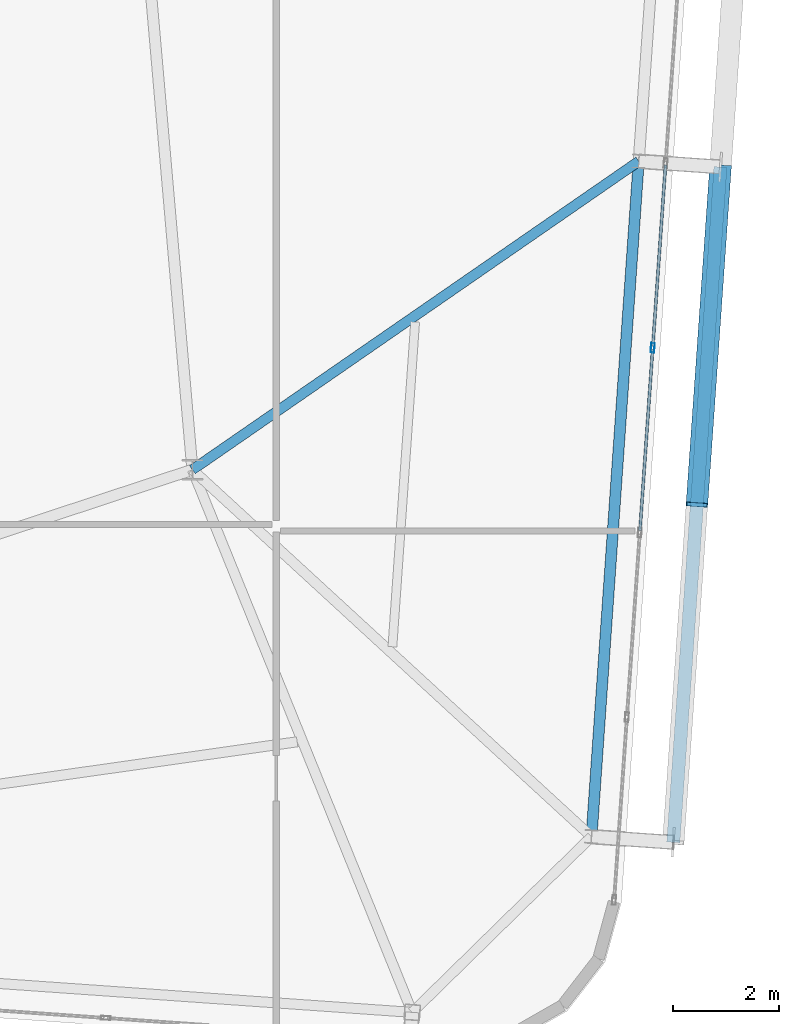
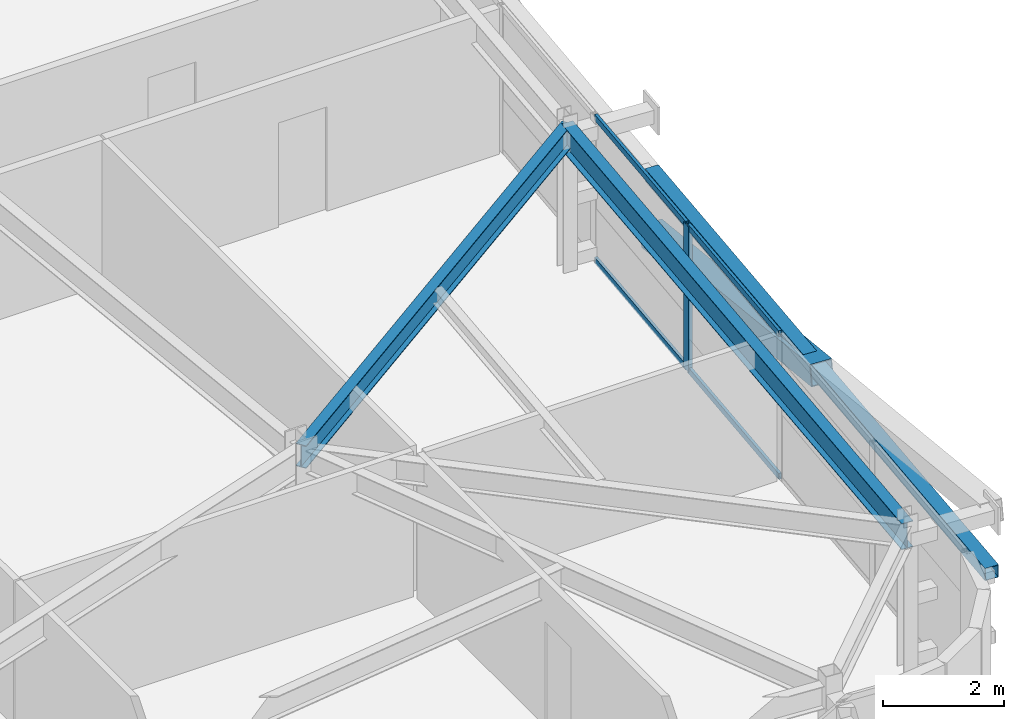
# One storey, part 22 of 47: 7 members, 2 beams, 1 element without a shape of its own.
"""IFC4 building model written with IfcOpenShell, lengths in metres."""

import ifcopenshell
import ifcopenshell.guid

model = None  # the IFC model being written
_history = None  # IfcOwnerHistory: only IFC2X3 demands one
_inside = {}  # id of a spatial element -> (the spatial element, [elements in it])
_under = {}  # id of a project, library or spatial element -> (it, [spatial elements below it])
_declared = {}  # id of a project -> (the project, [libraries it declares])
_typed = {}  # id of a type object -> (the type object, [elements of that type])
_made_of = {}  # id of a material, layer set ... -> (it, [elements and type objects made of it])


def new_model(schema):
    """Start an empty IFC model of exactly this schema.

    Asked for "IFC4X3", IfcOpenShell would pick the latest addendum, in which some entities
    have other attributes; the version numbers below select the first issue.
    IFC2X3 requires an IfcOwnerHistory on every rooted entity: one is made here for all.
    """
    global model, _history
    if schema == "IFC4X3":
        model = ifcopenshell.file(schema_version=(4, 3, 0, 0))
    else:
        model = ifcopenshell.file(schema=schema)
    _inside.clear()
    _under.clear()
    _declared.clear()
    _typed.clear()
    _made_of.clear()
    _history = None
    if model.schema == "IFC2X3":
        org = make("IfcOrganization", Name="unknown")
        user = make(
            "IfcPersonAndOrganization",
            ThePerson=make("IfcPerson", FamilyName="unknown"),
            TheOrganization=org,
        )
        app = make(
            "IfcApplication",
            ApplicationDeveloper=org,
            Version="unknown",
            ApplicationFullName="unknown",
            ApplicationIdentifier="unknown",
        )
        _history = make(
            "IfcOwnerHistory",
            OwningUser=user,
            OwningApplication=app,
            ChangeAction="ADDED",
            CreationDate=0,
        )
    return model


def make(cls, **values):
    """One entity of the class cls with the attributes given. An attribute that is None is left unset."""
    return model.create_entity(
        cls, **{name: value for name, value in values.items() if value is not None}
    )


def rooted(cls, **values):
    """An entity with a GlobalId (a new one), such as an element, a storey or a relation."""
    return make(cls, GlobalId=ifcopenshell.guid.new(), OwnerHistory=_history, **values)


def si_unit(unit_type, name, prefix=None):
    """IfcSIUnit, for example si_unit("LENGTHUNIT", "METRE", prefix="MILLI")."""
    return make("IfcSIUnit", UnitType=unit_type, Prefix=prefix, Name=name)


def assignment(units):
    """IfcUnitAssignment: the units of a project."""
    return None if units is None else make("IfcUnitAssignment", Units=units)


def point(xyz):
    """IfcCartesianPoint."""
    return None if xyz is None else make("IfcCartesianPoint", Coordinates=xyz)


def direction(xyz):
    """IfcDirection."""
    return None if xyz is None else make("IfcDirection", DirectionRatios=xyz)


def frame(location, z_axis=None, x_axis=None):
    """IfcAxis2Placement3D, a coordinate frame: its origin and axes. An axis left out is left unset."""
    return make(
        "IfcAxis2Placement3D",
        Location=point(location),
        Axis=direction(z_axis),
        RefDirection=direction(x_axis),
    )


def frame_2d(location, x_axis=None):
    """IfcAxis2Placement2D, a coordinate frame in the plane: its origin and x axis."""
    return make(
        "IfcAxis2Placement2D", Location=point(location), RefDirection=direction(x_axis)
    )


def origin():
    """The frame at (0, 0, 0) with its axes left unset."""
    return frame((0.0, 0.0, 0.0))


def origin_2d():
    """The frame at (0, 0) in the plane with its x axis left unset."""
    return frame_2d((0.0, 0.0))


def place(relative_to, where):
    """IfcLocalPlacement: puts the frame where relative to a parent placement (None: the world)."""
    return make(
        "IfcLocalPlacement", PlacementRelTo=relative_to, RelativePlacement=where
    )


def context(
    kind, dimensions, precision=None, world=None, true_north=None, identifier=None
):
    """IfcGeometricRepresentationContext, for example the 3D "Model" context."""
    return make(
        "IfcGeometricRepresentationContext",
        ContextIdentifier=identifier,
        ContextType=kind,
        CoordinateSpaceDimension=dimensions,
        Precision=precision,
        WorldCoordinateSystem=world,
        TrueNorth=true_north,
    )


def subcontext(parent, identifier, kind, view, scale=None):
    """IfcGeometricRepresentationSubContext, for example "Body" below "Model"."""
    return make(
        "IfcGeometricRepresentationSubContext",
        ContextIdentifier=identifier,
        ContextType=kind,
        ParentContext=parent,
        TargetScale=scale,
        TargetView=view,
    )


def project(units=None, contexts=None):
    """IfcProject with its units and contexts."""
    return rooted(
        "IfcProject",
        Name="project",
        RepresentationContexts=contexts,
        UnitsInContext=assignment(units),
    )


def spatial(cls, under=None, at=None, **own):
    """A site, building, storey or space (cls), placed at a placement, below another one or the project."""
    s = rooted(cls, ObjectPlacement=at, **own)
    if under is not None:
        _under.setdefault(under.id(), (under, []))[1].append(s)
    return s


def profile(cls, at=None, kind="AREA", **sizes):
    """A parametric profile (cls). Its sizes go by their IFC names, for example OverallWidth=200.0."""
    return make(cls, ProfileType=kind, Position=at, **sizes)


def hollow_rectangle(**sizes):
    """IfcRectangleHollowProfileDef."""
    return profile("IfcRectangleHollowProfileDef", **sizes)


def i_section(**sizes):
    """IfcIShapeProfileDef."""
    return profile("IfcIShapeProfileDef", **sizes)


def extrude(swept, where, along, depth):
    """IfcExtrudedAreaSolid: the profile swept, set in the frame where, extruded along a direction by depth."""
    return make(
        "IfcExtrudedAreaSolid",
        SweptArea=swept,
        Position=where,
        ExtrudedDirection=direction(along),
        Depth=depth,
    )


def shape(context_of_items, identifier, shape_type, items):
    """IfcShapeRepresentation: the items that make up one representation, for example the "Body"."""
    return make(
        "IfcShapeRepresentation",
        ContextOfItems=context_of_items,
        RepresentationIdentifier=identifier,
        RepresentationType=shape_type,
        Items=items,
    )


def source(mapping_origin, context_of_items, identifier, shape_type, items):
    """IfcRepresentationMap: a shape defined once, which mapped items show again and again."""
    return make(
        "IfcRepresentationMap",
        MappingOrigin=mapping_origin,
        MappedRepresentation=shape(context_of_items, identifier, shape_type, items),
    )


def transform(
    local_origin,
    x_axis=None,
    y_axis=None,
    z_axis=None,
    scale=None,
    scale2=None,
    scale3=None,
    uniform=True,
):
    """IfcCartesianTransformationOperator3D, or its non-uniform kind. x_axis, y_axis, z_axis: its Axis1, 2, 3."""
    if uniform:
        return make(
            "IfcCartesianTransformationOperator3D",
            Axis1=direction(x_axis),
            Axis2=direction(y_axis),
            LocalOrigin=point(local_origin),
            Scale=scale,
            Axis3=direction(z_axis),
        )
    return make(
        "IfcCartesianTransformationOperator3DnonUniform",
        Axis1=direction(x_axis),
        Axis2=direction(y_axis),
        LocalOrigin=point(local_origin),
        Scale=scale,
        Axis3=direction(z_axis),
        Scale2=scale2,
        Scale3=scale3,
    )


def mapped(mapping_source, mapping_target):
    """IfcMappedItem: shows the shape of a source again, moved by a transform."""
    return make(
        "IfcMappedItem", MappingSource=mapping_source, MappingTarget=mapping_target
    )


def material(Name=None, Category=None):
    """IfcMaterial."""
    return make("IfcMaterial", Name=Name, Category=Category)


def layer(
    of_material, thickness, ventilated=None, Name=None, Category=None, Priority=None
):
    """IfcMaterialLayer: one layer of a wall or slab, of a material (None: an air gap)."""
    return make(
        "IfcMaterialLayer",
        Material=of_material,
        LayerThickness=thickness,
        IsVentilated=ventilated,
        Name=Name,
        Category=Category,
        Priority=Priority,
    )


def layer_set(layers, Name=None):
    """IfcMaterialLayerSet."""
    return make("IfcMaterialLayerSet", MaterialLayers=layers, LayerSetName=Name)


def material_profile(
    of_material, cross_section, Name=None, Category=None, Priority=None
):
    """IfcMaterialProfile: a cross section and its material."""
    return make(
        "IfcMaterialProfile",
        Name=Name,
        Material=of_material,
        Profile=cross_section,
        Priority=Priority,
        Category=Category,
    )


def profile_set(profiles, Name=None, composite=None):
    """IfcMaterialProfileSet."""
    return make(
        "IfcMaterialProfileSet",
        Name=Name,
        MaterialProfiles=profiles,
        CompositeProfile=composite,
    )


def made_of(thing, what):
    """Note that an element or type object is made of a material, layer set ...; save() writes the relation."""
    if what is not None:
        _made_of.setdefault(what.id(), (what, []))[1].append(thing)
    return thing


def type_object(cls, material=None, **own):
    """A type object (cls), such as IfcWallType, which elements share."""
    return made_of(rooted(cls, **own), material)


def element(
    cls,
    number,
    at=None,
    inside=None,
    cuts=None,
    type_object=None,
    material=None,
    context=None,
    identifier="Body",
    shape_type=None,
    held_by="IfcProductDefinitionShape",
    body=None,
    shapes=None,
    **own,
):
    """One element of the class cls, such as IfcWall. Its Tag is "e" and its number.

    at: its placement. inside: the storey or other place that contains it. cuts: it is an
    opening in that element (IfcRelVoidsElement). A single representation is given by context,
    identifier, shape_type and body (its items); several are given by shapes. held_by: the class
    of the entity that holds the representations. save() writes the other relations.
    """
    e = rooted(cls, Tag="e%d" % number, ObjectPlacement=at, **own)
    if body is not None:
        shapes = [shape(context, identifier, shape_type, body)]
    if shapes is not None:
        e.Representation = make(held_by, Representations=shapes)
    if inside is not None:
        _inside.setdefault(inside.id(), (inside, []))[1].append(e)
    if cuts is not None:
        rooted(
            "IfcRelVoidsElement", RelatingBuildingElement=cuts, RelatedOpeningElement=e
        )
    if type_object is not None:
        _typed.setdefault(type_object.id(), (type_object, []))[1].append(e)
    return made_of(e, material)


def aggregate(whole, parts):
    """IfcRelAggregates: a whole, such as a stair, and the parts it consists of."""
    return rooted("IfcRelAggregates", RelatingObject=whole, RelatedObjects=parts)


def save(model, path):
    """Write the relations noted so far, then the file.

    IfcRelAggregates (storeys below a building ...), IfcRelContainedInSpatialStructure (elements
    in a storey), IfcRelDefinesByType, IfcRelAssociatesMaterial and IfcRelDeclares: one each for
    every whole, place, type object, material and project.
    """
    for whole, parts in _under.values():
        aggregate(whole, parts)
    for where, things in _inside.values():
        rooted(
            "IfcRelContainedInSpatialStructure",
            RelatedElements=things,
            RelatingStructure=where,
        )
    for kind, things in _typed.values():
        rooted("IfcRelDefinesByType", RelatedObjects=things, RelatingType=kind)
    for what, things in _made_of.values():
        rooted("IfcRelAssociatesMaterial", RelatedObjects=things, RelatingMaterial=what)
    for by, libraries in _declared.values():
        rooted("IfcRelDeclares", RelatingContext=by, RelatedDefinitions=libraries)
    model.write(path)


model = new_model("IFC4")

# Units and contexts
model_context = context("Model", 3, precision=1e-05, world=origin(), true_north=direction((0.0, 1.0)))
body_context = subcontext(model_context, "Body", "Model", "MODEL_VIEW")
ifc_project = project(units=[si_unit("LENGTHUNIT", "METRE"), si_unit("AREAUNIT", "SQUARE_METRE"), si_unit("VOLUMEUNIT", "CUBIC_METRE"), si_unit("PLANEANGLEUNIT", "RADIAN"), si_unit("MASSUNIT", "GRAM", prefix="KILO")], contexts=[model_context])

# Site, building, storey
site_placement = place(None, origin())
site = spatial("IfcSite", under=ifc_project, at=site_placement, CompositionType="ELEMENT")
building_placement = place(site_placement, origin())
building = spatial("IfcBuilding", under=site, at=building_placement, Name="Taldren Reach Tower", CompositionType="ELEMENT")
storey_placement = place(building_placement, frame((0.0, 0.0, 142.449951171875)))
storey = spatial("IfcBuildingStorey", under=building, at=storey_placement, Name="L43", CompositionType="ELEMENT", Elevation=142.449951171875)

# Beams
ifc_material_1 = material(Name="Steel Gr 350 (350PLUS)", Category="steel")
ifc_material_profile_1 = material_profile(ifc_material_1, i_section(OverallWidth=0.208984375, OverallDepth=0.528076171875, WebThickness=0.009521484375, FlangeThickness=0.01318359375, at=origin_2d()), Name="530UB82.0")
ifc_profile_set_1 = profile_set([ifc_material_profile_1], Name="Steel Gr 350 (350PLUS)")
beam_type_1 = type_object("IfcBeamType", Name="SP-UB530B", PredefinedType="SPANDREL", material=ifc_profile_set_1)
shared_shape_1 = source(origin(), body_context, "Body", "SweptSolid", [
    extrude(i_section(OverallWidth=0.208984375, OverallDepth=0.528076171875, WebThickness=0.009521484375, FlangeThickness=0.01318359375, at=origin_2d()), origin(), (0.0, 0.0, 1.0), 12.80029296875),
])
beam_1_placement = place(storey_placement, frame((59.54541015625, 5.562744140625, 2.666015625), z_axis=(0.069750549628, 0.997564464497, 0.0), x_axis=(-0.997564464497, 0.069750549628, 0.0)))
element("IfcBeam", 1, at=beam_1_placement, inside=storey, type_object=beam_type_1, Name="Perimeter spandrel B3 E1-E2 L43", PredefinedType="SPANDREL", context=body_context, shape_type="MappedRepresentation", body=[
    mapped(shared_shape_1, transform((0.0, 0.0, 0.0), scale=1.0)),
])
ifc_material_profile_2 = material_profile(ifc_material_1, i_section(OverallWidth=0.19091796875, OverallDepth=0.4599609375, WebThickness=0.010009765625, FlangeThickness=0.01611328125, at=origin_2d()), Name="460UB82.1")
ifc_profile_set_2 = profile_set([ifc_material_profile_2], Name="Steel Gr 350 (350PLUS)")
beam_type_2 = type_object("IfcBeamType", Name="BM-UB460A", PredefinedType="BEAM", material=ifc_profile_set_2)
shared_shape_2 = source(origin(), body_context, "Body", "SweptSolid", [
    extrude(i_section(OverallWidth=0.19091796875, OverallDepth=0.4599609375, WebThickness=0.010009765625, FlangeThickness=0.01611328125, at=origin_2d()), origin(), (0.0, 0.0, 1.0), 10.25732421875),
])
beam_2_placement = place(storey_placement, frame((52.0, 12.5, 2.699951171875), z_axis=(0.822651197727, 0.568546398175, 0.0), x_axis=(-0.568546398175, 0.822651197727, 0.0)))
element("IfcBeam", 2, at=beam_2_placement, inside=storey, type_object=beam_type_2, Name="Primary floor girder B3-E2 L43", PredefinedType="BEAM", context=body_context, shape_type="MappedRepresentation", body=[
    mapped(shared_shape_2, transform((0.0, 0.0, 0.0), scale=1.0)),
])

# Members
ifc_material_2 = material(Name="Steel Gr 350 (C350L0)", Category="steel")
ifc_material_profile_3 = material_profile(ifc_material_2, hollow_rectangle(XDim=0.25, YDim=0.25, WallThickness=0.010009765625, at=origin_2d()), Name="250x250x10.0SHS")
ifc_profile_set_3 = profile_set([ifc_material_profile_3], Name="Steel Gr 350 (C350L0)")
member_type_1 = type_object("IfcMemberType", Name="MB-POST250", PredefinedType="POST", material=ifc_profile_set_3)
shared_shape_3 = source(origin(), body_context, "Body", "SweptSolid", [
    extrude(hollow_rectangle(XDim=0.25, YDim=0.25, WallThickness=0.010009765625, at=origin_2d()), origin(), (0.0, 0.0, 1.0), 12.800048828125),
])
member_1_placement = place(storey_placement, frame((61.091552734375, 5.454833984375, 1.43505859375), z_axis=(0.069751876777, 0.9975643717, 0.0), x_axis=(-0.9975643717, 0.069751876777, 0.0)))
element("IfcMember", 3, at=member_1_placement, inside=storey, type_object=member_type_1, Name="Exoskeleton mid-height ring chord B3-E1 L43", PredefinedType="POST", context=body_context, shape_type="MappedRepresentation", body=[
    mapped(shared_shape_3, transform((0.0, 0.0, 0.0), scale=1.0)),
])
ifc_material_3 = material(Name="Steel Gr 450 (C450L0)", Category="steel")
ifc_material_profile_4 = material_profile(ifc_material_3, hollow_rectangle(XDim=0.409912109375, YDim=0.409912109375, WallThickness=0.01611328125, at=origin_2d()), Name="410x410x16.0SHS")
ifc_profile_set_4 = profile_set([ifc_material_profile_4], Name="Steel Gr 450 (C450L0)")
member_type_2 = type_object("IfcMemberType", Name="MB-EXO406", PredefinedType="BRACE", material=ifc_profile_set_4)
shared_shape_4 = source(origin(), body_context, "Body", "SweptSolid", [
    extrude(hollow_rectangle(XDim=0.409912109375, YDim=0.409912109375, WallThickness=0.01611328125, at=origin_2d()), origin(), (0.0, 0.0, 1.0), 6.514404296875),
])
member_2_placement = place(storey_placement, frame((61.984375, 18.2236328125, 0.219970703125), z_axis=(-0.068507825937, -0.980059166346, 0.186522674885), x_axis=(0.997565791441, -0.069731569223, 0.0)))
element("IfcMember", 4, at=member_2_placement, inside=storey, type_object=member_type_2, Name="Exoskeleton Diagrid Brace B3-E1 L43", PredefinedType="BRACE", context=body_context, shape_type="MappedRepresentation", body=[
    mapped(shared_shape_4, transform((0.0, 0.0, 0.0), scale=1.0)),
])

# Curtain wall, members
ifc_material_4 = material(Name="Aluminium and Low-E Glass Unitised System", Category="aluminium")
ifc_layer = layer(ifc_material_4, 0.159912109375)
ifc_layer_set = layer_set([ifc_layer], Name="Aluminium and Low-E Glass Unitised System")
curtain_wall_type = type_object("IfcCurtainWallType", Name="CW-SYS-4", PredefinedType="NOTDEFINED", material=ifc_layer_set)
curtain_wall_placement = place(storey_placement, origin())
curtain_wall = element("IfcCurtainWall", 5, at=curtain_wall_placement, inside=storey, type_object=curtain_wall_type, Name="Unitised curtain wall CW-L43-E", PredefinedType="NOTDEFINED")
ifc_material_5 = material(Name="Anodised Aluminium 6063-T6", Category="aluminium")
ifc_material_profile_5 = material_profile(ifc_material_5, hollow_rectangle(XDim=0.070068359375, YDim=0.179931640625, WallThickness=0.00390625, at=origin_2d()), Name="ALU-180x70x4RHS")
ifc_profile_set_5 = profile_set([ifc_material_profile_5], Name="Anodised Aluminium 6063-T6")
member_type_3 = type_object("IfcMemberType", Name="CW-MUL-180", PredefinedType="MULLION", material=ifc_profile_set_5)
shared_shape_5 = source(origin(), body_context, "Body", "SweptSolid", [
    extrude(hollow_rectangle(XDim=0.070068359375, YDim=0.179931640625, WallThickness=0.00390625, at=origin_2d()), origin(), (0.0, 0.0, 1.0), 2.929931640625),
])
member_3_placement = place(storey_placement, frame((60.702880859375, 14.8046875, 0.0), z_axis=(0.0, 0.0, 1.0), x_axis=(-0.997564052812, 0.069756437251, 0.0)))
member_3 = element("IfcMember", 6, at=member_3_placement, type_object=member_type_3, Name="CW-4 mullion 4", PredefinedType="MULLION", context=body_context, shape_type="MappedRepresentation", body=[
    mapped(shared_shape_5, transform((0.0, 0.0, 0.0), scale=1.0)),
])
ifc_material_profile_6 = material_profile(ifc_material_5, hollow_rectangle(XDim=0.054931640625, YDim=0.1201171875, WallThickness=0.0029296875, at=origin_2d()), Name="ALU-120x55x3RHS")
ifc_profile_set_6 = profile_set([ifc_material_profile_6], Name="Anodised Aluminium 6063-T6")
member_type_4 = type_object("IfcMemberType", Name="CW-TRN-135", PredefinedType="USERDEFINED", material=ifc_profile_set_6)
shared_shape_6 = source(origin(), body_context, "Body", "SweptSolid", [
    extrude(hollow_rectangle(XDim=0.054931640625, YDim=0.1201171875, WallThickness=0.0029296875, at=origin_2d()), origin(), (0.0, 0.0, 1.0), 3.429931640625),
])
member_4_placement = place(storey_placement, frame((60.461181640625, 11.34814453125, 0.027587890625), z_axis=(0.069754754695, 0.997564170466, 0.0), x_axis=(-0.997564170466, 0.069754754695, 0.0)))
member_4 = element("IfcMember", 7, at=member_4_placement, type_object=member_type_4, Name="CW-4 transom 3.1", ObjectType="TRANSOM", PredefinedType="USERDEFINED", context=body_context, shape_type="MappedRepresentation", body=[
    mapped(shared_shape_6, transform((0.0, 0.0, 0.0), scale=1.0)),
])
member_5_placement = place(storey_placement, frame((60.461181640625, 11.34814453125, 2.902587890625), z_axis=(0.069754754695, 0.997564170466, 0.0), x_axis=(-0.997564170466, 0.069754754695, 0.0)))
member_5 = element("IfcMember", 8, at=member_5_placement, type_object=member_type_4, Name="CW-4 transom 3.2", ObjectType="TRANSOM", PredefinedType="USERDEFINED", context=body_context, shape_type="MappedRepresentation", body=[
    mapped(shared_shape_6, transform((0.0, 0.0, 0.0), scale=1.0)),
])
member_6_placement = place(storey_placement, frame((60.705322265625, 14.839599609375, 0.027587890625), z_axis=(0.069754754695, 0.997564170466, 0.0), x_axis=(-0.997564170466, 0.069754754695, 0.0)))
member_6 = element("IfcMember", 9, at=member_6_placement, type_object=member_type_4, Name="CW-4 transom 4.1", ObjectType="TRANSOM", PredefinedType="USERDEFINED", context=body_context, shape_type="MappedRepresentation", body=[
    mapped(shared_shape_6, transform((0.0, 0.0, 0.0), scale=1.0)),
])
member_7_placement = place(storey_placement, frame((60.705322265625, 14.839599609375, 2.902587890625), z_axis=(0.069754754695, 0.997564170466, 0.0), x_axis=(-0.997564170466, 0.069754754695, 0.0)))
member_7 = element("IfcMember", 10, at=member_7_placement, type_object=member_type_4, Name="CW-4 transom 4.2", ObjectType="TRANSOM", PredefinedType="USERDEFINED", context=body_context, shape_type="MappedRepresentation", body=[
    mapped(shared_shape_6, transform((0.0, 0.0, 0.0), scale=1.0)),
])
aggregate(curtain_wall, [member_3, member_4, member_5, member_6, member_7])

save(model, "model.ifc")
